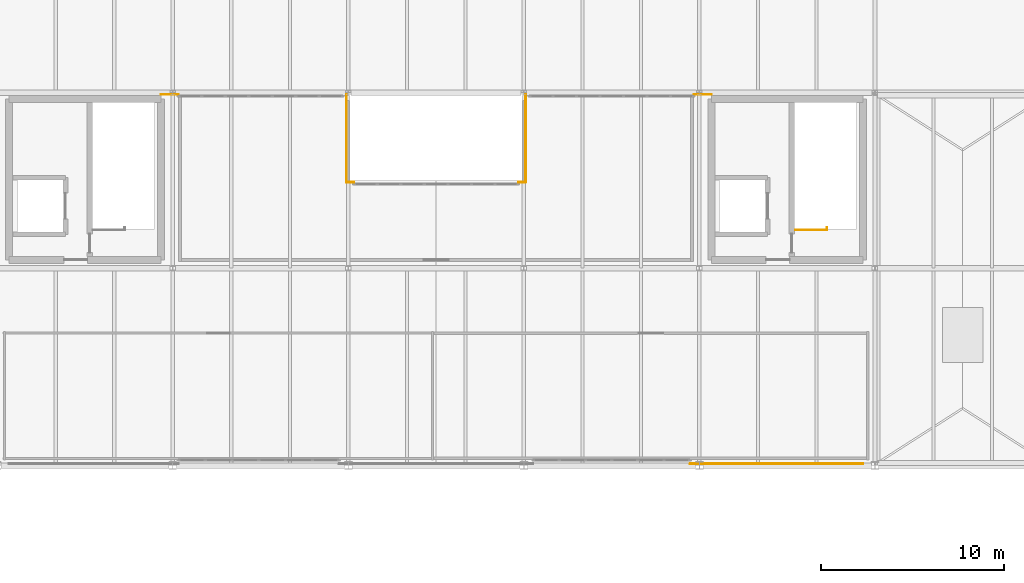
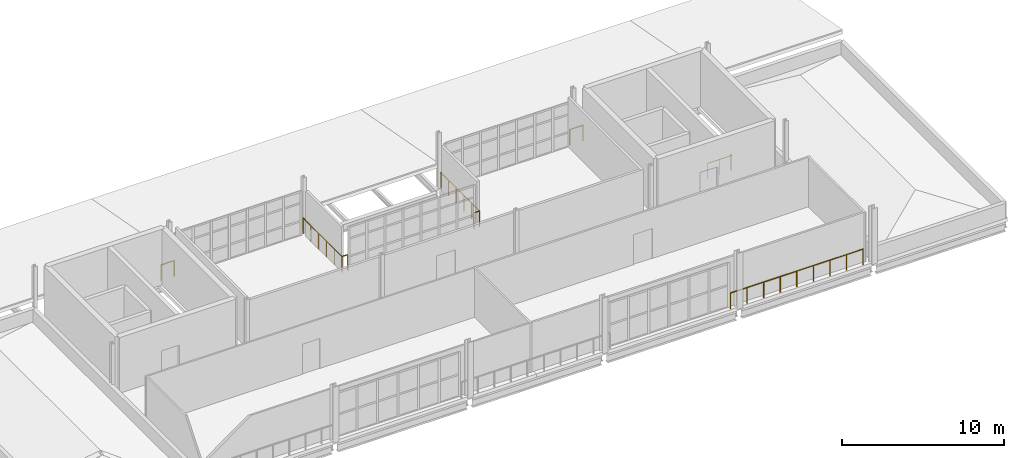
# One storey, part 54 of 58: 8 railings.
"""IFC4 building model written with IfcOpenShell, lengths in metres."""

from ifc_helpers import new_model, si_unit, direction, frame, origin, origin_2d, place, context, subcontext, project, spatial, circle, extrude, material, type_object, element, save


model = new_model("IFC4")

# Units and contexts
model_context = context("Model", 3, precision=1e-05, world=origin(), true_north=direction((0.0, 1.0)))
body_context = subcontext(model_context, "Body", "Model", "MODEL_VIEW")
ifc_project = project(units=[si_unit("LENGTHUNIT", "METRE"), si_unit("AREAUNIT", "SQUARE_METRE"), si_unit("VOLUMEUNIT", "CUBIC_METRE"), si_unit("PLANEANGLEUNIT", "RADIAN"), si_unit("MASSUNIT", "GRAM", prefix="KILO")], contexts=[model_context])

# Site, building, storey
site_placement = place(None, origin())
site = spatial("IfcSite", under=ifc_project, at=site_placement, CompositionType="ELEMENT")
building_placement = place(site_placement, origin())
building = spatial("IfcBuilding", under=site, at=building_placement, Name="Yeouljin Market Hall", CompositionType="ELEMENT")
storey_placement = place(building_placement, frame((0.0, 0.0, 10.800048828125)))
storey = spatial("IfcBuildingStorey", under=building, at=storey_placement, Name="L02", CompositionType="ELEMENT", Elevation=10.800048828125)

# Railings
ifc_material_1 = material(Name="Wrought Iron and Bronze Gallery Balustrade")
railing_type_1 = type_object("IfcRailingType", Name="Railing_AtriumBalustrade_1200", PredefinedType="BALUSTRADE", material=ifc_material_1)
railing_1_placement = place(storey_placement, frame((73.14990234375, 98.300048828125, 0.0)))
element("IfcRailing", 1, at=railing_1_placement, inside=storey, type_object=railing_type_1, Name="Gallery & deck edge balustrade L02-211", PredefinedType="BALUSTRADE", context=body_context, shape_type="SweptSolid", body=[
    extrude(circle(Radius=0.02392578125, at=origin_2d()), frame((0.0, 0.0, 1.17578125), z_axis=(1.0, 0.0, 0.0), x_axis=(0.0, 1.0, 0.0)), (0.0, 0.0, 1.0), 0.9501953125),
    extrude(circle(Radius=0.02099609375, at=origin_2d()), origin(), (0.0, 0.0, 1.0), 1.15185546875),
    extrude(circle(Radius=0.02099609375, at=origin_2d()), frame((0.9501953125, 0.0, 0.0)), (0.0, 0.0, 1.0), 1.15185546875),
])
railing_2_placement = place(storey_placement, frame((83.300048828125, 98.300048828125, 0.0)))
element("IfcRailing", 2, at=railing_2_placement, inside=storey, type_object=railing_type_1, Name="Gallery & deck edge balustrade L02-212", PredefinedType="BALUSTRADE", context=body_context, shape_type="SweptSolid", body=[
    extrude(circle(Radius=0.02392578125, at=origin_2d()), frame((0.0, 0.0, 1.17578125), z_axis=(0.0, -1.0, 0.0), x_axis=(1.0, 0.0, 0.0)), (0.0, 0.0, 1.0), 4.800048828125),
    extrude(circle(Radius=0.02099609375, at=origin_2d()), origin(), (0.0, 0.0, 1.0), 1.15185546875),
    extrude(circle(Radius=0.02099609375, at=origin_2d()), frame((0.0, -0.9599609375, 0.0)), (0.0, 0.0, 1.0), 1.15185546875),
    extrude(circle(Radius=0.02099609375, at=origin_2d()), frame((0.0, -1.919921875, 0.0)), (0.0, 0.0, 1.0), 1.15185546875),
    extrude(circle(Radius=0.02099609375, at=origin_2d()), frame((0.0, -2.880126953125, 0.0)), (0.0, 0.0, 1.0), 1.15185546875),
    extrude(circle(Radius=0.02099609375, at=origin_2d()), frame((0.0, -3.840087890625, 0.0)), (0.0, 0.0, 1.0), 1.15185546875),
    extrude(circle(Radius=0.02099609375, at=origin_2d()), frame((0.0, -4.800048828125, 0.0)), (0.0, 0.0, 1.0), 1.15185546875),
])
railing_3_placement = place(storey_placement, frame((83.300048828125, 93.5, 0.0)))
element("IfcRailing", 3, at=railing_3_placement, inside=storey, type_object=railing_type_1, Name="Gallery & deck edge balustrade L02-213", PredefinedType="BALUSTRADE", context=body_context, shape_type="SweptSolid", body=[
    extrude(circle(Radius=0.02392578125, at=origin_2d()), frame((0.0, 0.0, 1.17578125), z_axis=(1.0, 0.0, 0.0), x_axis=(0.0, 1.0, 0.0)), (0.0, 0.0, 1.0), 0.39990234375),
    extrude(circle(Radius=0.02099609375, at=origin_2d()), origin(), (0.0, 0.0, 1.0), 1.15185546875),
    extrude(circle(Radius=0.02099609375, at=origin_2d()), frame((0.39990234375, 0.0, 0.0)), (0.0, 0.0, 1.0), 1.15185546875),
])
railing_4_placement = place(storey_placement, frame((92.699951171875, 93.5, 0.0)))
element("IfcRailing", 4, at=railing_4_placement, inside=storey, type_object=railing_type_1, Name="Gallery & deck edge balustrade L02-214", PredefinedType="BALUSTRADE", context=body_context, shape_type="SweptSolid", body=[
    extrude(circle(Radius=0.02392578125, at=origin_2d()), frame((0.0, 0.0, 1.17578125), z_axis=(1.0, 0.0, 0.0), x_axis=(0.0, 1.0, 0.0)), (0.0, 0.0, 1.0), 0.400146484375),
    extrude(circle(Radius=0.02099609375, at=origin_2d()), origin(), (0.0, 0.0, 1.0), 1.15185546875),
    extrude(circle(Radius=0.02099609375, at=origin_2d()), frame((0.400146484375, 0.0, 0.0)), (0.0, 0.0, 1.0), 1.15185546875),
])
railing_5_placement = place(storey_placement, frame((93.10009765625, 93.5, 0.0)))
element("IfcRailing", 5, at=railing_5_placement, inside=storey, type_object=railing_type_1, Name="Gallery & deck edge balustrade L02-215", PredefinedType="BALUSTRADE", context=body_context, shape_type="SweptSolid", body=[
    extrude(circle(Radius=0.02392578125, at=origin_2d()), frame((0.0, 0.0, 1.17578125), z_axis=(0.0, 1.0, 0.0), x_axis=(-1.0, 0.0, 0.0)), (0.0, 0.0, 1.0), 4.800048828125),
    extrude(circle(Radius=0.02099609375, at=origin_2d()), origin(), (0.0, 0.0, 1.0), 1.15185546875),
    extrude(circle(Radius=0.02099609375, at=origin_2d()), frame((0.0, 0.9599609375, 0.0)), (0.0, 0.0, 1.0), 1.15185546875),
    extrude(circle(Radius=0.02099609375, at=origin_2d()), frame((0.0, 1.919921875, 0.0)), (0.0, 0.0, 1.0), 1.15185546875),
    extrude(circle(Radius=0.02099609375, at=origin_2d()), frame((0.0, 2.880126953125, 0.0)), (0.0, 0.0, 1.0), 1.15185546875),
    extrude(circle(Radius=0.02099609375, at=origin_2d()), frame((0.0, 3.840087890625, 0.0)), (0.0, 0.0, 1.0), 1.15185546875),
    extrude(circle(Radius=0.02099609375, at=origin_2d()), frame((0.0, 4.800048828125, 0.0)), (0.0, 0.0, 1.0), 1.15185546875),
])
railing_6_placement = place(storey_placement, frame((102.300048828125, 98.300048828125, 0.0)))
element("IfcRailing", 6, at=railing_6_placement, inside=storey, type_object=railing_type_1, Name="Gallery & deck edge balustrade L02-216", PredefinedType="BALUSTRADE", context=body_context, shape_type="SweptSolid", body=[
    extrude(circle(Radius=0.02392578125, at=origin_2d()), frame((0.0, 0.0, 1.17578125), z_axis=(1.0, 0.0, 0.0), x_axis=(0.0, 1.0, 0.0)), (0.0, 0.0, 1.0), 0.949951171875),
    extrude(circle(Radius=0.02099609375, at=origin_2d()), origin(), (0.0, 0.0, 1.0), 1.15185546875),
    extrude(circle(Radius=0.02099609375, at=origin_2d()), frame((0.949951171875, 0.0, 0.0)), (0.0, 0.0, 1.0), 1.15185546875),
])
railing_7_placement = place(storey_placement, frame((111.550048828125, 78.10009765625, 0.0)))
element("IfcRailing", 7, at=railing_7_placement, inside=storey, type_object=railing_type_1, Name="Gallery & deck edge balustrade L02-217", PredefinedType="BALUSTRADE", context=body_context, shape_type="SweptSolid", body=[
    extrude(circle(Radius=0.02392578125, at=origin_2d()), frame((0.0, 0.0, 1.17578125), z_axis=(-1.0, 0.0, 0.0), x_axis=(0.0, -1.0, 0.0)), (0.0, 0.0, 1.0), 9.449951171875),
    extrude(circle(Radius=0.02099609375, at=origin_2d()), origin(), (0.0, 0.0, 1.0), 1.15185546875),
    extrude(circle(Radius=0.02099609375, at=origin_2d()), frame((-1.18115234375, 0.0, 0.0)), (0.0, 0.0, 1.0), 1.15185546875),
    extrude(circle(Radius=0.02099609375, at=origin_2d()), frame((-2.362548828125, 0.0, 0.0)), (0.0, 0.0, 1.0), 1.15185546875),
    extrude(circle(Radius=0.02099609375, at=origin_2d()), frame((-3.543701171875, 0.0, 0.0)), (0.0, 0.0, 1.0), 1.15185546875),
    extrude(circle(Radius=0.02099609375, at=origin_2d()), frame((-4.72509765625, 0.0, 0.0)), (0.0, 0.0, 1.0), 1.15185546875),
    extrude(circle(Radius=0.02099609375, at=origin_2d()), frame((-5.90625, 0.0, 0.0)), (0.0, 0.0, 1.0), 1.15185546875),
    extrude(circle(Radius=0.02099609375, at=origin_2d()), frame((-7.08740234375, 0.0, 0.0)), (0.0, 0.0, 1.0), 1.15185546875),
    extrude(circle(Radius=0.02099609375, at=origin_2d()), frame((-8.268798828125, 0.0, 0.0)), (0.0, 0.0, 1.0), 1.15185546875),
    extrude(circle(Radius=0.02099609375, at=origin_2d()), frame((-9.449951171875, 0.0, 0.0)), (0.0, 0.0, 1.0), 1.15185546875),
])
ifc_material_2 = material(Name="Painted Steel Stair Guardrail", Category="steel")
railing_type_2 = type_object("IfcRailingType", Name="Railing_StairGuard_1200", PredefinedType="GUARDRAIL", material=ifc_material_2)
railing_8_placement = place(storey_placement, frame((107.85009765625, 90.889892578125, 0.0)))
element("IfcRailing", 8, at=railing_8_placement, inside=storey, type_object=railing_type_2, Name="Stair ST-C6-L01 top-floor well guardrail", PredefinedType="GUARDRAIL", context=body_context, shape_type="SweptSolid", body=[
    extrude(circle(Radius=0.02392578125, at=origin_2d()), frame((0.0, 0.0, 1.17578125), z_axis=(1.0, 0.0, 0.0), x_axis=(0.0, 1.0, 0.0)), (0.0, 0.0, 1.0), 1.72998046875),
    extrude(circle(Radius=0.02392578125, at=origin_2d()), frame((1.72998046875, 0.0, 1.17578125), z_axis=(0.0, 1.0, 0.0), x_axis=(-1.0, 0.0, 0.0)), (0.0, 0.0, 1.0), 0.14013671875),
    extrude(circle(Radius=0.02099609375, at=origin_2d()), origin(), (0.0, 0.0, 1.0), 1.15185546875),
    extrude(circle(Radius=0.02099609375, at=origin_2d()), frame((0.864990234375, 0.0, 0.0)), (0.0, 0.0, 1.0), 1.15185546875),
    extrude(circle(Radius=0.02099609375, at=origin_2d()), frame((1.72998046875, 0.0, 0.0)), (0.0, 0.0, 1.0), 1.15185546875),
    extrude(circle(Radius=0.02099609375, at=origin_2d()), frame((1.72998046875, 0.14013671875, 0.0)), (0.0, 0.0, 1.0), 1.15185546875),
])

save(model, "model.ifc")
